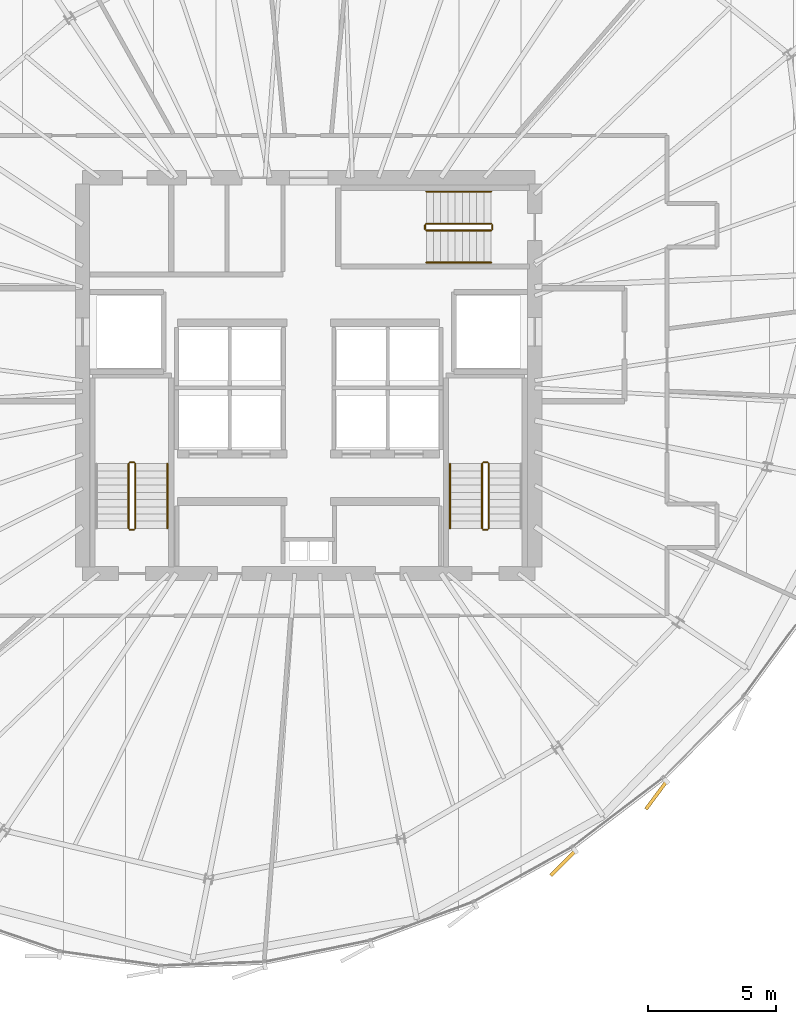
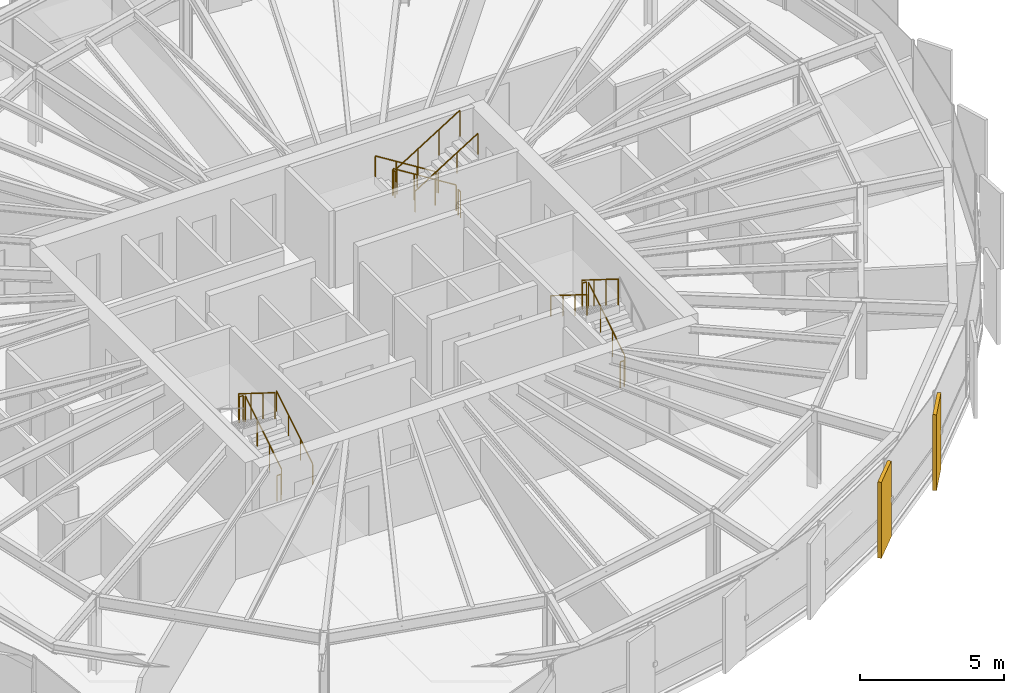
# One storey, part 36 of 37: 16 railings, 2 coverings.
"""IFC4 building model written with IfcOpenShell, lengths in metres."""

from ifc_helpers import new_model, si_unit, direction, frame, origin, origin_2d, place, context, subcontext, project, spatial, rectangle, circle, extrude, source, transform, mapped, material, layer, layer_set, type_object, element, save


model = new_model("IFC4")

# Units and contexts
model_context = context("Model", 3, precision=1e-05, world=origin(), true_north=direction((0.0, 1.0)))
body_context = subcontext(model_context, "Body", "Model", "MODEL_VIEW")
ifc_project = project(units=[si_unit("LENGTHUNIT", "METRE"), si_unit("AREAUNIT", "SQUARE_METRE"), si_unit("VOLUMEUNIT", "CUBIC_METRE"), si_unit("PLANEANGLEUNIT", "RADIAN"), si_unit("MASSUNIT", "GRAM", prefix="KILO"), si_unit("THERMODYNAMICTEMPERATUREUNIT", "KELVIN")], contexts=[model_context])

# Site, building, storey
site_placement = place(None, origin())
site = spatial("IfcSite", under=ifc_project, at=site_placement, CompositionType="ELEMENT")
building_placement = place(site_placement, origin())
building = spatial("IfcBuilding", under=site, at=building_placement, Name="Kethvar Cultural Tower", CompositionType="ELEMENT")
storey_placement = place(building_placement, frame((0.0, 0.0, 200.89990234375)))
storey = spatial("IfcBuildingStorey", under=building, at=storey_placement, Name="L52", CompositionType="ELEMENT", Elevation=200.89990234375)

# Railings
ifc_material_1 = material(Name="Steel S355J2", Category="steel")
railing_type_1 = type_object("IfcRailingType", Name="RL-STAIR-GUARD", PredefinedType="BALUSTRADE", material=ifc_material_1)
railing_1_placement = place(storey_placement, frame((40.050048828125, 21.85009765625, 0.175048828125)))
element("IfcRailing", 1, at=railing_1_placement, inside=storey, type_object=railing_type_1, Name="L52 ST-01 stair guard 1", PredefinedType="BALUSTRADE", context=body_context, shape_type="SweptSolid", body=[
    extrude(circle(Radius=0.02392578125, at=origin_2d()), frame((0.0, 0.0, 1.09619140625), z_axis=(0.0, 0.848007534815, 0.529984170421), x_axis=(-1.0, 0.0, 0.0)), (0.0, 0.0, 1.0), 2.9716796875),
    extrude(circle(Radius=0.02099609375, at=origin_2d()), origin(), (0.0, 0.0, 1.0), 1.072021484375),
    extrude(circle(Radius=0.02099609375, at=origin_2d()), frame((0.0, 0.840087890625, 0.52490234375)), (0.0, 0.0, 1.0), 1.072021484375),
    extrude(circle(Radius=0.02099609375, at=origin_2d()), frame((0.0, 1.679931640625, 1.050048828125)), (0.0, 0.0, 1.0), 1.072021484375),
    extrude(circle(Radius=0.02099609375, at=origin_2d()), frame((0.0, 2.52001953125, 1.574951171875)), (0.0, 0.0, 1.0), 1.072021484375),
])
railing_2_placement = place(storey_placement, frame((40.0, 24.419921875, 1.75)))
element("IfcRailing", 2, at=railing_2_placement, inside=storey, type_object=railing_type_1, Name="L52 ST-01 stair guard 2", PredefinedType="BALUSTRADE", context=body_context, shape_type="SweptSolid", body=[
    extrude(circle(Radius=0.02392578125, at=origin_2d()), frame((0.0, 0.0, 1.09619140625), z_axis=(-1.0, 0.0, 0.0), x_axis=(0.0, -1.0, 0.0)), (0.0, 0.0, 1.0), 0.159912109375),
    extrude(circle(Radius=0.02099609375, at=origin_2d()), origin(), (0.0, 0.0, 1.0), 1.072021484375),
    extrude(circle(Radius=0.02099609375, at=origin_2d()), frame((-0.159912109375, 0.0, 0.0)), (0.0, 0.0, 1.0), 1.072021484375),
])
railing_3_placement = place(storey_placement, frame((39.7900390625, 24.3701171875, 1.925048828125)))
element("IfcRailing", 3, at=railing_3_placement, inside=storey, type_object=railing_type_1, Name="L52 ST-01 stair guard 3", PredefinedType="BALUSTRADE", context=body_context, shape_type="SweptSolid", body=[
    extrude(circle(Radius=0.02392578125, at=origin_2d()), frame((0.0, 0.0, 1.09619140625), z_axis=(0.0, -0.848007534815, 0.529984170421), x_axis=(1.0, 0.0, 0.0)), (0.0, 0.0, 1.0), 2.9716796875),
    extrude(circle(Radius=0.02099609375, at=origin_2d()), origin(), (0.0, 0.0, 1.0), 1.072021484375),
    extrude(circle(Radius=0.02099609375, at=origin_2d()), frame((0.0, -0.840087890625, 0.52490234375)), (0.0, 0.0, 1.0), 1.072021484375),
    extrude(circle(Radius=0.02099609375, at=origin_2d()), frame((0.0, -1.679931640625, 1.050048828125)), (0.0, 0.0, 1.0), 1.072021484375),
    extrude(circle(Radius=0.02099609375, at=origin_2d()), frame((0.0, -2.52001953125, 1.574951171875)), (0.0, 0.0, 1.0), 1.072021484375),
])
railing_4_placement = place(storey_placement, frame((40.0, 21.800048828125, 0.0)))
element("IfcRailing", 4, at=railing_4_placement, inside=storey, type_object=railing_type_1, Name="L52 ST-01 stair guard 4", PredefinedType="BALUSTRADE", context=body_context, shape_type="SweptSolid", body=[
    extrude(circle(Radius=0.02392578125, at=origin_2d()), frame((0.0, 0.0, 1.09619140625), z_axis=(-1.0, 0.0, 0.0), x_axis=(0.0, -1.0, 0.0)), (0.0, 0.0, 1.0), 0.159912109375),
    extrude(circle(Radius=0.02099609375, at=origin_2d()), origin(), (0.0, 0.0, 1.0), 1.072021484375),
    extrude(circle(Radius=0.02099609375, at=origin_2d()), frame((-0.159912109375, 0.0, 0.0)), (0.0, 0.0, 1.0), 1.072021484375),
])
railing_5_placement = place(storey_placement, frame((53.81005859375, 21.85009765625, 0.175048828125)))
element("IfcRailing", 5, at=railing_5_placement, inside=storey, type_object=railing_type_1, Name="L52 ST-02 stair guard 1", PredefinedType="BALUSTRADE", context=body_context, shape_type="SweptSolid", body=[
    extrude(circle(Radius=0.02392578125, at=origin_2d()), frame((0.0, 0.0, 1.09619140625), z_axis=(0.0, 0.848007534815, 0.529984170421), x_axis=(-1.0, 0.0, 0.0)), (0.0, 0.0, 1.0), 2.9716796875),
    extrude(circle(Radius=0.02099609375, at=origin_2d()), origin(), (0.0, 0.0, 1.0), 1.072021484375),
    extrude(circle(Radius=0.02099609375, at=origin_2d()), frame((0.0, 0.840087890625, 0.52490234375)), (0.0, 0.0, 1.0), 1.072021484375),
    extrude(circle(Radius=0.02099609375, at=origin_2d()), frame((0.0, 1.679931640625, 1.050048828125)), (0.0, 0.0, 1.0), 1.072021484375),
    extrude(circle(Radius=0.02099609375, at=origin_2d()), frame((0.0, 2.52001953125, 1.574951171875)), (0.0, 0.0, 1.0), 1.072021484375),
])
railing_6_placement = place(storey_placement, frame((53.760009765625, 24.419921875, 1.75)))
element("IfcRailing", 6, at=railing_6_placement, inside=storey, type_object=railing_type_1, Name="L52 ST-02 stair guard 2", PredefinedType="BALUSTRADE", context=body_context, shape_type="SweptSolid", body=[
    extrude(circle(Radius=0.02392578125, at=origin_2d()), frame((0.0, 0.0, 1.09619140625), z_axis=(-1.0, 0.0, 0.0), x_axis=(0.0, -1.0, 0.0)), (0.0, 0.0, 1.0), 0.159912109375),
    extrude(circle(Radius=0.02099609375, at=origin_2d()), origin(), (0.0, 0.0, 1.0), 1.072021484375),
    extrude(circle(Radius=0.02099609375, at=origin_2d()), frame((-0.159912109375, 0.0, 0.0)), (0.0, 0.0, 1.0), 1.072021484375),
])
railing_7_placement = place(storey_placement, frame((53.550048828125, 24.3701171875, 1.925048828125)))
element("IfcRailing", 7, at=railing_7_placement, inside=storey, type_object=railing_type_1, Name="L52 ST-02 stair guard 3", PredefinedType="BALUSTRADE", context=body_context, shape_type="SweptSolid", body=[
    extrude(circle(Radius=0.02392578125, at=origin_2d()), frame((0.0, 0.0, 1.09619140625), z_axis=(0.0, -0.848007534815, 0.529984170421), x_axis=(1.0, 0.0, 0.0)), (0.0, 0.0, 1.0), 2.9716796875),
    extrude(circle(Radius=0.02099609375, at=origin_2d()), origin(), (0.0, 0.0, 1.0), 1.072021484375),
    extrude(circle(Radius=0.02099609375, at=origin_2d()), frame((0.0, -0.840087890625, 0.52490234375)), (0.0, 0.0, 1.0), 1.072021484375),
    extrude(circle(Radius=0.02099609375, at=origin_2d()), frame((0.0, -1.679931640625, 1.050048828125)), (0.0, 0.0, 1.0), 1.072021484375),
    extrude(circle(Radius=0.02099609375, at=origin_2d()), frame((0.0, -2.52001953125, 1.574951171875)), (0.0, 0.0, 1.0), 1.072021484375),
])
railing_8_placement = place(storey_placement, frame((53.760009765625, 21.800048828125, 0.0)))
element("IfcRailing", 8, at=railing_8_placement, inside=storey, type_object=railing_type_1, Name="L52 ST-02 stair guard 4", PredefinedType="BALUSTRADE", context=body_context, shape_type="SweptSolid", body=[
    extrude(circle(Radius=0.02392578125, at=origin_2d()), frame((0.0, 0.0, 1.09619140625), z_axis=(-1.0, 0.0, 0.0), x_axis=(0.0, -1.0, 0.0)), (0.0, 0.0, 1.0), 0.159912109375),
    extrude(circle(Radius=0.02099609375, at=origin_2d()), origin(), (0.0, 0.0, 1.0), 1.072021484375),
    extrude(circle(Radius=0.02099609375, at=origin_2d()), frame((-0.159912109375, 0.0, 0.0)), (0.0, 0.0, 1.0), 1.072021484375),
])
railing_9_placement = place(storey_placement, frame((53.89990234375, 33.7099609375, 0.175048828125)))
element("IfcRailing", 9, at=railing_9_placement, inside=storey, type_object=railing_type_1, Name="L52 ST-03 stair guard 1", PredefinedType="BALUSTRADE", context=body_context, shape_type="SweptSolid", body=[
    extrude(circle(Radius=0.02392578125, at=origin_2d()), frame((0.0, 0.0, 1.09619140625), z_axis=(-0.848007534815, 0.0, 0.529984170421), x_axis=(0.0, -1.0, 0.0)), (0.0, 0.0, 1.0), 2.9716796875),
    extrude(circle(Radius=0.02099609375, at=origin_2d()), origin(), (0.0, 0.0, 1.0), 1.072021484375),
    extrude(circle(Radius=0.02099609375, at=origin_2d()), frame((-0.840087890625, 0.0, 0.52490234375)), (0.0, 0.0, 1.0), 1.072021484375),
    extrude(circle(Radius=0.02099609375, at=origin_2d()), frame((-1.679931640625, 0.0, 1.050048828125)), (0.0, 0.0, 1.0), 1.072021484375),
    extrude(circle(Radius=0.02099609375, at=origin_2d()), frame((-2.52001953125, 0.0, 1.574951171875)), (0.0, 0.0, 1.0), 1.072021484375),
])
railing_10_placement = place(storey_placement, frame((51.330078125, 33.659912109375, 1.75)))
element("IfcRailing", 10, at=railing_10_placement, inside=storey, type_object=railing_type_1, Name="L52 ST-03 stair guard 2", PredefinedType="BALUSTRADE", context=body_context, shape_type="SweptSolid", body=[
    extrude(circle(Radius=0.02392578125, at=origin_2d()), frame((0.0, 0.0, 1.09619140625), z_axis=(0.0, -1.0, 0.0), x_axis=(1.0, 0.0, 0.0)), (0.0, 0.0, 1.0), 0.159912109375),
    extrude(circle(Radius=0.02099609375, at=origin_2d()), origin(), (0.0, 0.0, 1.0), 1.072021484375),
    extrude(circle(Radius=0.02099609375, at=origin_2d()), frame((0.0, -0.159912109375, 0.0)), (0.0, 0.0, 1.0), 1.072021484375),
])
railing_11_placement = place(storey_placement, frame((51.3798828125, 33.449951171875, 1.925048828125)))
element("IfcRailing", 11, at=railing_11_placement, inside=storey, type_object=railing_type_1, Name="L52 ST-03 stair guard 3", PredefinedType="BALUSTRADE", context=body_context, shape_type="SweptSolid", body=[
    extrude(circle(Radius=0.02392578125, at=origin_2d()), frame((0.0, 0.0, 1.09619140625), z_axis=(0.848007534815, 0.0, 0.529984170421), x_axis=(0.0, 1.0, 0.0)), (0.0, 0.0, 1.0), 2.9716796875),
    extrude(circle(Radius=0.02099609375, at=origin_2d()), origin(), (0.0, 0.0, 1.0), 1.072021484375),
    extrude(circle(Radius=0.02099609375, at=origin_2d()), frame((0.840087890625, 0.0, 0.52490234375)), (0.0, 0.0, 1.0), 1.072021484375),
    extrude(circle(Radius=0.02099609375, at=origin_2d()), frame((1.679931640625, 0.0, 1.050048828125)), (0.0, 0.0, 1.0), 1.072021484375),
    extrude(circle(Radius=0.02099609375, at=origin_2d()), frame((2.52001953125, 0.0, 1.574951171875)), (0.0, 0.0, 1.0), 1.072021484375),
])
railing_12_placement = place(storey_placement, frame((53.949951171875, 33.659912109375, 0.0)))
element("IfcRailing", 12, at=railing_12_placement, inside=storey, type_object=railing_type_1, Name="L52 ST-03 stair guard 4", PredefinedType="BALUSTRADE", context=body_context, shape_type="SweptSolid", body=[
    extrude(circle(Radius=0.02392578125, at=origin_2d()), frame((0.0, 0.0, 1.09619140625), z_axis=(0.0, -1.0, 0.0), x_axis=(1.0, 0.0, 0.0)), (0.0, 0.0, 1.0), 0.159912109375),
    extrude(circle(Radius=0.02099609375, at=origin_2d()), origin(), (0.0, 0.0, 1.0), 1.072021484375),
    extrude(circle(Radius=0.02099609375, at=origin_2d()), frame((0.0, -0.159912109375, 0.0)), (0.0, 0.0, 1.0), 1.072021484375),
])
railing_type_2 = type_object("IfcRailingType", Name="RL-STAIR-HANDRAIL", PredefinedType="HANDRAIL", material=ifc_material_1)
railing_13_placement = place(storey_placement, frame((41.300048828125, 21.85009765625, 0.175048828125)))
element("IfcRailing", 13, at=railing_13_placement, inside=storey, type_object=railing_type_2, Name="L52 ST-01 stair handrail 1", PredefinedType="HANDRAIL", context=body_context, shape_type="SweptSolid", body=[
    extrude(circle(Radius=0.02392578125, at=origin_2d()), frame((0.0, 0.0, 0.8759765625), z_axis=(0.0, 0.848007534815, 0.529984170421), x_axis=(-1.0, 0.0, 0.0)), (0.0, 0.0, 1.0), 2.9716796875),
    extrude(circle(Radius=0.02099609375, at=origin_2d()), origin(), (0.0, 0.0, 1.0), 0.851806640625),
    extrude(circle(Radius=0.02099609375, at=origin_2d()), frame((0.0, 0.840087890625, 0.52490234375)), (0.0, 0.0, 1.0), 0.851806640625),
    extrude(circle(Radius=0.02099609375, at=origin_2d()), frame((0.0, 1.679931640625, 1.050048828125)), (0.0, 0.0, 1.0), 0.851806640625),
    extrude(circle(Radius=0.02099609375, at=origin_2d()), frame((0.0, 2.52001953125, 1.574951171875)), (0.0, 0.0, 1.0), 0.851806640625),
])
railing_14_placement = place(storey_placement, frame((52.300048828125, 24.3701171875, 1.925048828125)))
element("IfcRailing", 14, at=railing_14_placement, inside=storey, type_object=railing_type_2, Name="L52 ST-02 stair handrail 2", PredefinedType="HANDRAIL", context=body_context, shape_type="SweptSolid", body=[
    extrude(circle(Radius=0.02392578125, at=origin_2d()), frame((0.0, 0.0, 0.8759765625), z_axis=(0.0, -0.848007534815, 0.529984170421), x_axis=(1.0, 0.0, 0.0)), (0.0, 0.0, 1.0), 2.9716796875),
    extrude(circle(Radius=0.02099609375, at=origin_2d()), origin(), (0.0, 0.0, 1.0), 0.851806640625),
    extrude(circle(Radius=0.02099609375, at=origin_2d()), frame((0.0, -0.840087890625, 0.52490234375)), (0.0, 0.0, 1.0), 0.851806640625),
    extrude(circle(Radius=0.02099609375, at=origin_2d()), frame((0.0, -1.679931640625, 1.050048828125)), (0.0, 0.0, 1.0), 0.851806640625),
    extrude(circle(Radius=0.02099609375, at=origin_2d()), frame((0.0, -2.52001953125, 1.574951171875)), (0.0, 0.0, 1.0), 0.851806640625),
])
railing_15_placement = place(storey_placement, frame((53.89990234375, 34.9599609375, 0.175048828125)))
element("IfcRailing", 15, at=railing_15_placement, inside=storey, type_object=railing_type_2, Name="L52 ST-03 stair handrail 1", PredefinedType="HANDRAIL", context=body_context, shape_type="SweptSolid", body=[
    extrude(circle(Radius=0.02392578125, at=origin_2d()), frame((0.0, 0.0, 0.8759765625), z_axis=(-0.848007534815, 0.0, 0.529984170421), x_axis=(0.0, -1.0, 0.0)), (0.0, 0.0, 1.0), 2.9716796875),
    extrude(circle(Radius=0.02099609375, at=origin_2d()), origin(), (0.0, 0.0, 1.0), 0.851806640625),
    extrude(circle(Radius=0.02099609375, at=origin_2d()), frame((-0.840087890625, 0.0, 0.52490234375)), (0.0, 0.0, 1.0), 0.851806640625),
    extrude(circle(Radius=0.02099609375, at=origin_2d()), frame((-1.679931640625, 0.0, 1.050048828125)), (0.0, 0.0, 1.0), 0.851806640625),
    extrude(circle(Radius=0.02099609375, at=origin_2d()), frame((-2.52001953125, 0.0, 1.574951171875)), (0.0, 0.0, 1.0), 0.851806640625),
])
railing_16_placement = place(storey_placement, frame((51.3798828125, 32.199951171875, 1.925048828125)))
element("IfcRailing", 16, at=railing_16_placement, inside=storey, type_object=railing_type_2, Name="L52 ST-03 stair handrail 2", PredefinedType="HANDRAIL", context=body_context, shape_type="SweptSolid", body=[
    extrude(circle(Radius=0.02392578125, at=origin_2d()), frame((0.0, 0.0, 0.8759765625), z_axis=(0.848007534815, 0.0, 0.529984170421), x_axis=(0.0, 1.0, 0.0)), (0.0, 0.0, 1.0), 2.9716796875),
    extrude(circle(Radius=0.02099609375, at=origin_2d()), origin(), (0.0, 0.0, 1.0), 0.851806640625),
    extrude(circle(Radius=0.02099609375, at=origin_2d()), frame((0.840087890625, 0.0, 0.52490234375)), (0.0, 0.0, 1.0), 0.851806640625),
    extrude(circle(Radius=0.02099609375, at=origin_2d()), frame((1.679931640625, 0.0, 1.050048828125)), (0.0, 0.0, 1.0), 0.851806640625),
    extrude(circle(Radius=0.02099609375, at=origin_2d()), frame((2.52001953125, 0.0, 1.574951171875)), (0.0, 0.0, 1.0), 0.851806640625),
])

# Coverings
ifc_material_2 = material(Name="Extruded Architectural Terracotta", Category="masonry")
ifc_layer = layer(ifc_material_2, 0.135009765625, Name="Extruded Architectural Terracotta", Category="masonry")
ifc_layer_set = layer_set([ifc_layer], Name="Extruded Architectural Terracotta (135 mm)")
covering_type = type_object("IfcCoveringType", Name="Terracotta Facade Fin FIN-03", PredefinedType="CLADDING", material=ifc_layer_set)
shared_shape = source(origin(), body_context, "Body", "SweptSolid", [
    extrude(rectangle(XDim=1.35009765625, YDim=0.135009765625, at=origin_2d()), origin(), (0.0, 0.0, 1.0), 3.219970703125),
])
for number, where, z_axis, x_axis, name in (
    (17, (56.7041015625, 8.818359375, 0.02001953125), (0.0, 0.0, 1.0), (-0.703394702811, -0.710799473873, 0.0), "L52 Vertical Terracotta Fin 5.5"),
    (18, (60.33056640625, 11.463134765625, 0.02001953125), (0.0, 0.0, 1.0), (-0.59496307718, -0.803753032213, 0.0), "L52 Vertical Terracotta Fin 5.6"),
):
    element("IfcCovering", number, at=place(storey_placement, frame(where, z_axis=z_axis, x_axis=x_axis)), inside=storey, type_object=covering_type, Name=name, PredefinedType="CLADDING", context=body_context, shape_type="MappedRepresentation", body=[
        mapped(shared_shape, transform((0.0, 0.0, 0.0), scale=1.0)),
    ])

save(model, "model.ifc")
